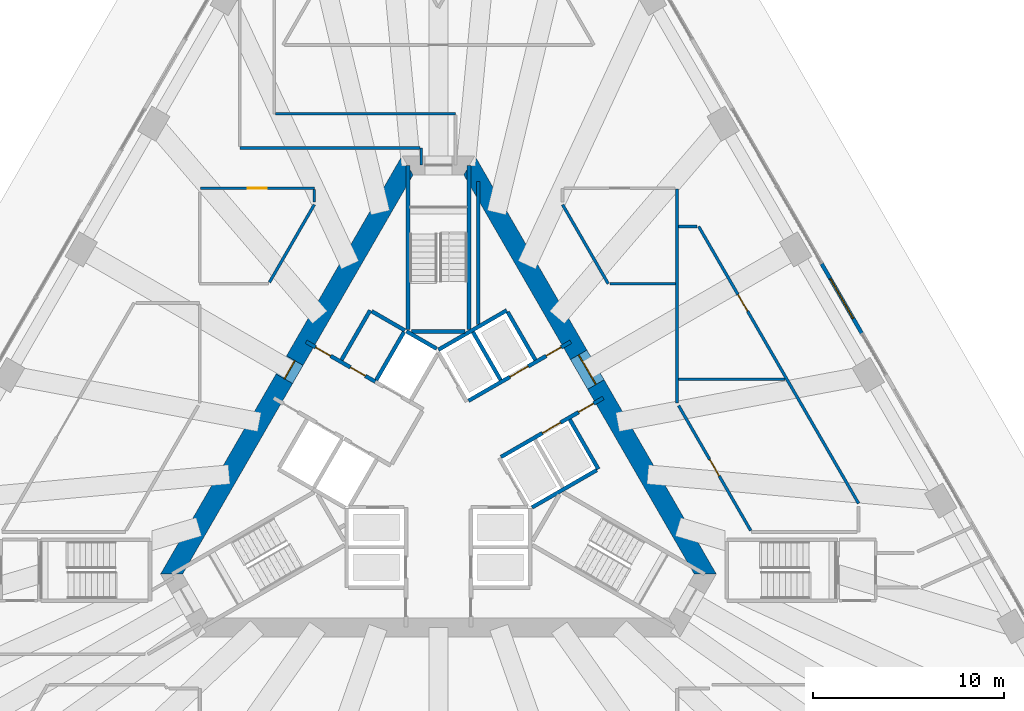
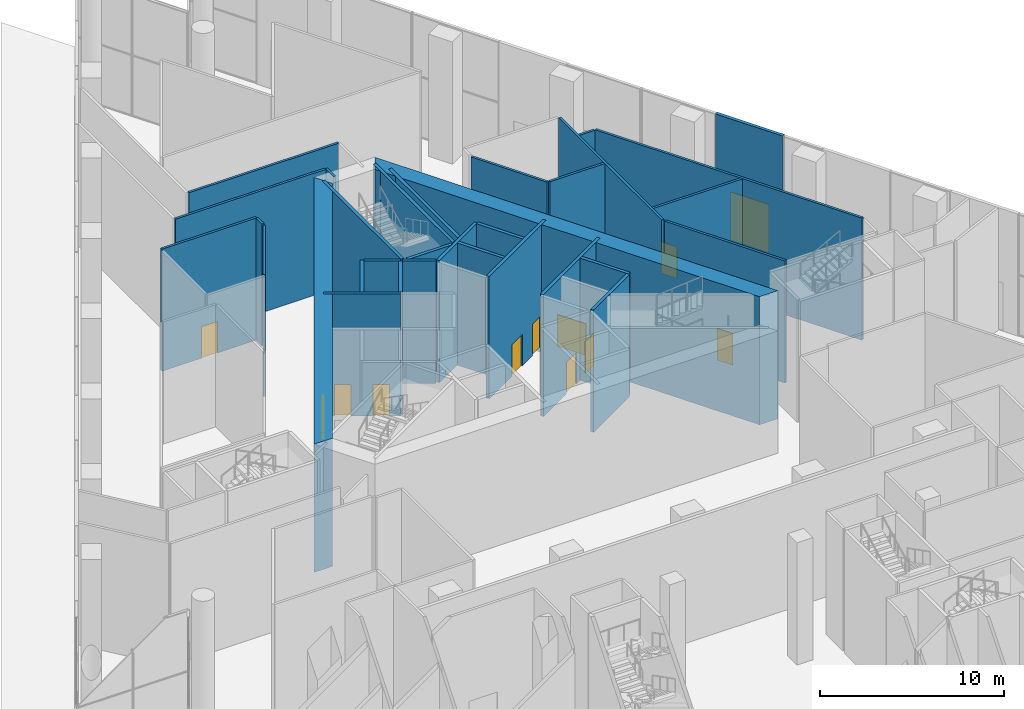
# One storey, part 26 of 41: 32 walls, 12 doors, 12 openings.
"""IFC4 building model written with IfcOpenShell, lengths in metres."""

from ifc_helpers import new_model, si_unit, direction, frame, frame_2d, origin, place, context, subcontext, project, spatial, polyline, rectangle, outline, extrude, material, layer, layer_set, layer_usage, type_object, element, fill, save


model = new_model("IFC4")

# Units and contexts
model_context = context("Model", 3, precision=1e-05, world=origin(), true_north=direction((0.0, 1.0)))
body_context = subcontext(model_context, "Body", "Model", "MODEL_VIEW")
ifc_project = project(units=[si_unit("LENGTHUNIT", "METRE"), si_unit("AREAUNIT", "SQUARE_METRE"), si_unit("VOLUMEUNIT", "CUBIC_METRE"), si_unit("PLANEANGLEUNIT", "RADIAN"), si_unit("MASSUNIT", "GRAM", prefix="KILO")], contexts=[model_context])

# Site, building, storey
site_placement = place(None, origin())
site = spatial("IfcSite", under=ifc_project, at=site_placement, CompositionType="ELEMENT")
building_placement = place(site_placement, origin())
building = spatial("IfcBuilding", under=site, at=building_placement, Name="Triada Interchange Tower", CompositionType="ELEMENT")
storey_placement = place(building_placement, origin())
storey = spatial("IfcBuildingStorey", under=building, at=storey_placement, Name="L00", CompositionType="ELEMENT", Elevation=0.0)

# Wall
ifc_material_1 = material(Name="Concrete C30/37", Category="concrete")
ifc_layer_1 = layer(ifc_material_1, 0.199951171875)
ifc_layer_set_1 = layer_set([ifc_layer_1], Name="CORE WALL 200 EI 120")
wall_type_1 = type_object("IfcWallType", Name="CORE WALL 200 EI 120", PredefinedType="SOLIDWALL", material=ifc_layer_set_1)
wall_1_placement = place(storey_placement, frame((-0.001953125, 5.541015625, 0.0), z_axis=(0.0, 0.0, 1.0), x_axis=(0.86600155993, 0.500041296494, 0.0)))
element("IfcWall", 1, at=wall_1_placement, inside=storey, type_object=wall_type_1, Name="Wall L00 155", PredefinedType="SOLIDWALL", context=body_context, shape_type="SweptSolid", body=[
    extrude(rectangle(XDim=4.131591796875, YDim=0.199951171875, at=frame_2d((2.06591796875, 0.0))), origin(), (0.0, 0.0, 1.0), 8.10009765625),
])

# Wall, openings, doors
wall_2_placement = place(storey_placement, frame((1.577880859375, 2.8740234375, 0.0), z_axis=(0.0, 0.0, 1.0), x_axis=(0.866055259465, 0.499948284879, 0.0)))
wall_2 = element("IfcWall", 2, at=wall_2_placement, inside=storey, type_object=wall_type_1, Name="Wall L00 158", PredefinedType="SOLIDWALL", context=body_context, shape_type="SweptSolid", body=[
    extrude(rectangle(XDim=6.176513671875, YDim=0.199951171875, at=frame_2d((3.08837890625, 0.0))), origin(), (0.0, 0.0, 1.0), 8.10009765625),
])
opening_1_placement = place(wall_2_placement, frame((2.49609375, 0.0, 0.0)))
opening_1 = element("IfcOpeningElement", 3, at=opening_1_placement, cuts=wall_2, Name="Opening LD-LR6", PredefinedType="OPENING", context=body_context, shape_type="SweptSolid", body=[
    extrude(rectangle(XDim=1.10009765625, YDim=2.10009765625, at=frame_2d((0.550048828125, 1.050048828125))), frame((0.0, 0.10986328125, 0.0), z_axis=(0.0, -1.0, 0.0), x_axis=(1.0, 0.0, 0.0)), (0.0, 0.0, 1.0), 0.219970703125),
])
opening_2_placement = place(wall_2_placement, frame((4.696044921875, 0.0, 0.0)))
opening_2 = element("IfcOpeningElement", 4, at=opening_2_placement, cuts=wall_2, Name="Opening D00-60", PredefinedType="OPENING", context=body_context, shape_type="SweptSolid", body=[
    extrude(rectangle(XDim=0.89990234375, YDim=2.10009765625, at=frame_2d((0.449951171875, 1.050048828125))), frame((0.0, 0.10986328125, 0.0), z_axis=(0.0, -1.0, 0.0), x_axis=(1.0, 0.0, 0.0)), (0.0, 0.0, 1.0), 0.219970703125),
])
ifc_material_2 = material(Name="Steel S235 door leaf", Category="steel")
door_type_1 = type_object("IfcDoorType", Name="LIFT LANDING DOOR 1100 EI 120", OperationType="SLIDING_TO_LEFT", PredefinedType="DOOR", material=ifc_material_2)
door_1_placement = place(opening_1_placement, origin())
door_1 = element("IfcDoor", 5, at=door_1_placement, inside=storey, type_object=door_type_1, Name="LR6 landing door L00", OperationType="SLIDING_TO_LEFT", OverallHeight=2.10009765625, OverallWidth=1.10009765625, PredefinedType="DOOR", context=body_context, shape_type="SweptSolid", body=[
    extrude(rectangle(XDim=1.10009765625, YDim=2.10009765625, at=frame_2d((0.550048828125, 1.050048828125))), frame((0.0, 0.02490234375, 0.0), z_axis=(0.0, -1.0, 0.0), x_axis=(1.0, 0.0, 0.0)), (0.0, 0.0, 1.0), 0.050048828125),
])
fill(opening_1, door_1)
door_type_2 = type_object("IfcDoorType", Name="SERVICE DOOR 900 EI2 45-C5S200", OperationType="NOTDEFINED", PredefinedType="DOOR", material=ifc_material_2)
door_2_placement = place(opening_2_placement, origin())
door_2 = element("IfcDoor", 6, at=door_2_placement, inside=storey, type_object=door_type_2, Name="Door D00-60 L00", OperationType="SINGLE_SWING_LEFT", OverallHeight=2.10009765625, OverallWidth=0.89990234375, PredefinedType="DOOR", context=body_context, shape_type="SweptSolid", body=[
    extrude(rectangle(XDim=0.89990234375, YDim=2.10009765625, at=frame_2d((0.449951171875, 1.050048828125))), frame((0.0, 0.02490234375, 0.0), z_axis=(0.0, -1.0, 0.0), x_axis=(1.0, 0.0, 0.0)), (0.0, 0.0, 1.0), 0.050048828125),
])
fill(opening_2, door_2)

# Walls
for number, where, z_axis, x_axis, name in (
    (7, (1.806884765625, 6.469970703125, 0.0), (0.0, 0.0, 1.0), (0.50012328804, -0.865954211699, 0.0), "Wall L00 161"),
    (8, (3.6259765625, 7.52001953125, 0.0), (0.0, 0.0, 1.0), (0.500060147554, -0.865990674793, 0.0), "Wall L00 163"),
):
    element("IfcWall", number, at=place(storey_placement, frame(where, z_axis=z_axis, x_axis=x_axis)), inside=storey, type_object=wall_type_1, Name=name, PredefinedType="SOLIDWALL", context=body_context, shape_type="SweptSolid", body=[
        extrude(rectangle(XDim=2.899658203125, YDim=0.199951171875, at=frame_2d((1.44970703125, 0.0))), origin(), (0.0, 0.0, 1.0), 8.10009765625),
    ])
wall_3_placement = place(storey_placement, frame((6.8759765625, 1.89111328125, 0.0), z_axis=(0.0, 0.0, 1.0), x_axis=(0.499990139034, -0.866031096941, 0.0)))
element("IfcWall", 9, at=wall_3_placement, inside=storey, type_object=wall_type_1, Name="Wall L00 164", PredefinedType="SOLIDWALL", context=body_context, shape_type="SweptSolid", body=[
    extrude(rectangle(XDim=3.0, YDim=0.199951171875, at=frame_2d((1.5, 0.0))), origin(), (0.0, 0.0, 1.0), 8.10009765625),
])

# Wall, openings, doors
wall_4_placement = place(storey_placement, frame((3.278076171875, -0.071044921875, 0.0), z_axis=(0.0, 0.0, 1.0), x_axis=(0.865959795517, 0.500113619639, 0.0)))
wall_4 = element("IfcWall", 10, at=wall_4_placement, inside=storey, type_object=wall_type_1, Name="Wall L00 165", PredefinedType="SOLIDWALL", context=body_context, shape_type="SweptSolid", body=[
    extrude(rectangle(XDim=6.1767578125, YDim=0.199951171875, at=frame_2d((3.08837890625, 0.0))), origin(), (0.0, 0.0, 1.0), 8.10009765625),
])
opening_3_placement = place(wall_4_placement, frame((2.4970703125, 0.0, 0.0)))
opening_3 = element("IfcOpeningElement", 11, at=opening_3_placement, cuts=wall_4, Name="Opening LD-SH2", PredefinedType="OPENING", context=body_context, shape_type="SweptSolid", body=[
    extrude(rectangle(XDim=1.10009765625, YDim=2.10009765625, at=frame_2d((0.550048828125, 1.050048828125))), frame((0.0, 0.10986328125, 0.0), z_axis=(0.0, -1.0, 0.0), x_axis=(1.0, 0.0, 0.0)), (0.0, 0.0, 1.0), 0.219970703125),
])
opening_4_placement = place(wall_4_placement, frame((4.697021484375, 0.0, 0.0)))
opening_4 = element("IfcOpeningElement", 12, at=opening_4_placement, cuts=wall_4, Name="Opening D00-62", PredefinedType="OPENING", context=body_context, shape_type="SweptSolid", body=[
    extrude(rectangle(XDim=0.89990234375, YDim=2.10009765625, at=frame_2d((0.449951171875, 1.050048828125))), frame((0.0, 0.10986328125, 0.0), z_axis=(0.0, -1.0, 0.0), x_axis=(1.0, 0.0, 0.0)), (0.0, 0.0, 1.0), 0.219970703125),
])
door_3_placement = place(opening_3_placement, origin())
door_3 = element("IfcDoor", 13, at=door_3_placement, inside=storey, type_object=door_type_1, Name="SH2 landing door L00", OperationType="SLIDING_TO_LEFT", OverallHeight=2.10009765625, OverallWidth=1.10009765625, PredefinedType="DOOR", context=body_context, shape_type="SweptSolid", body=[
    extrude(rectangle(XDim=1.10009765625, YDim=2.10009765625, at=frame_2d((0.550048828125, 1.050048828125))), frame((0.0, 0.02490234375, 0.0), z_axis=(0.0, -1.0, 0.0), x_axis=(1.0, 0.0, 0.0)), (0.0, 0.0, 1.0), 0.050048828125),
])
fill(opening_3, door_3)
door_type_3 = type_object("IfcDoorType", Name="RISER ACCESS DOOR 900 EI2 45-C5S200", OperationType="NOTDEFINED", PredefinedType="DOOR", material=ifc_material_2)
door_4_placement = place(opening_4_placement, origin())
door_4 = element("IfcDoor", 14, at=door_4_placement, inside=storey, type_object=door_type_3, Name="Door D00-62 L00", OperationType="SINGLE_SWING_RIGHT", OverallHeight=2.10009765625, OverallWidth=0.89990234375, PredefinedType="DOOR", context=body_context, shape_type="SweptSolid", body=[
    extrude(rectangle(XDim=0.89990234375, YDim=2.10009765625, at=frame_2d((0.449951171875, 1.050048828125))), frame((0.0, 0.02490234375, 0.0), z_axis=(0.0, -1.0, 0.0), x_axis=(1.0, 0.0, 0.0)), (0.0, 0.0, 1.0), 0.050048828125),
])
fill(opening_4, door_4)

# Wall
wall_5_placement = place(storey_placement, frame((4.89990234375, -2.714111328125, 0.0), z_axis=(0.0, 0.0, 1.0), x_axis=(0.865992350556, 0.500057245502, 0.0)))
element("IfcWall", 15, at=wall_5_placement, inside=storey, type_object=wall_type_1, Name="Wall L00 166", PredefinedType="SOLIDWALL", context=body_context, shape_type="SweptSolid", body=[
    extrude(rectangle(XDim=3.91357421875, YDim=0.199951171875, at=frame_2d((1.956787109375, 0.0))), origin(), (0.0, 0.0, 1.0), 8.10009765625),
])

# Wall, openings, doors
ifc_layer_2 = layer(ifc_material_1, 0.199951171875)
ifc_layer_set_2 = layer_set([ifc_layer_2], Name="CORE WALL 200 EI 180")
wall_type_2 = type_object("IfcWallType", Name="CORE WALL 200 EI 180", PredefinedType="SOLIDWALL", material=ifc_layer_set_2)
wall_6_placement = place(storey_placement, frame((-6.927001953125, 5.9619140625, 0.0), z_axis=(0.0, 0.0, 1.0), x_axis=(0.866065051207, -0.49993132236, 0.0)))
wall_6 = element("IfcWall", 16, at=wall_6_placement, inside=storey, type_object=wall_type_2, Name="Wall L00 169", PredefinedType="SOLIDWALL", context=body_context, shape_type="SweptSolid", body=[
    extrude(rectangle(XDim=4.18212890625, YDim=0.199951171875, at=frame_2d((2.091064453125, 0.0))), origin(), (0.0, 0.0, 1.0), 8.10009765625),
])
opening_5_placement = place(wall_6_placement, frame((2.679931640625, 0.0, 0.0)))
opening_5 = element("IfcOpeningElement", 17, at=opening_5_placement, cuts=wall_6, Name="Opening D00-12", PredefinedType="OPENING", context=body_context, shape_type="SweptSolid", body=[
    extrude(rectangle(XDim=0.89990234375, YDim=2.10009765625, at=frame_2d((0.449951171875, 1.050048828125))), frame((0.0, 0.10986328125, 0.0), z_axis=(0.0, -1.0, 0.0), x_axis=(1.0, 0.0, 0.0)), (0.0, 0.0, 1.0), 0.219970703125),
])
opening_6_placement = place(wall_6_placement, frame((0.580078125, 0.0, 0.0)))
opening_6 = element("IfcOpeningElement", 18, at=opening_6_placement, cuts=wall_6, Name="Opening D00-59", PredefinedType="OPENING", context=body_context, shape_type="SweptSolid", body=[
    extrude(rectangle(XDim=0.89990234375, YDim=2.10009765625, at=frame_2d((0.449951171875, 1.050048828125))), frame((0.0, 0.10986328125, 0.0), z_axis=(0.0, -1.0, 0.0), x_axis=(1.0, 0.0, 0.0)), (0.0, 0.0, 1.0), 0.219970703125),
])
door_5_placement = place(opening_6_placement, origin())
door_5 = element("IfcDoor", 19, at=door_5_placement, inside=storey, type_object=door_type_2, Name="Door D00-59 L00", OperationType="SINGLE_SWING_RIGHT", OverallHeight=2.10009765625, OverallWidth=0.89990234375, PredefinedType="DOOR", context=body_context, shape_type="SweptSolid", body=[
    extrude(rectangle(XDim=0.89990234375, YDim=2.10009765625, at=frame_2d((0.449951171875, 1.050048828125))), frame((0.0, 0.02490234375, 0.0), z_axis=(0.0, -1.0, 0.0), x_axis=(1.0, 0.0, 0.0)), (0.0, 0.0, 1.0), 0.050048828125),
])
fill(opening_6, door_5)
door_type_4 = type_object("IfcDoorType", Name="SERVICE DOOR 900 EI2 90-C5S200", OperationType="NOTDEFINED", PredefinedType="DOOR", material=ifc_material_2)
door_6_placement = place(opening_5_placement, origin())
door_6 = element("IfcDoor", 20, at=door_6_placement, inside=storey, type_object=door_type_4, Name="Door D00-12 L00", OperationType="SINGLE_SWING_LEFT", OverallHeight=2.10009765625, OverallWidth=0.89990234375, PredefinedType="DOOR", context=body_context, shape_type="SweptSolid", body=[
    extrude(rectangle(XDim=0.89990234375, YDim=2.10009765625, at=frame_2d((0.449951171875, 1.050048828125))), frame((0.0, 0.02490234375, 0.0), z_axis=(0.0, -1.0, 0.0), x_axis=(1.0, 0.0, 0.0)), (0.0, 0.0, 1.0), 0.050048828125),
])
fill(opening_5, door_6)

# Walls
wall_7_placement = place(storey_placement, frame((-5.075927734375, 5.009033203125, 0.0), z_axis=(0.0, 0.0, 1.0), x_axis=(0.50002537861, 0.866010750942, 0.0)))
element("IfcWall", 21, at=wall_7_placement, inside=storey, type_object=wall_type_2, Name="Wall L00 171", PredefinedType="SOLIDWALL", context=body_context, shape_type="SweptSolid", body=[
    extrude(rectangle(XDim=2.999755859375, YDim=0.199951171875, at=frame_2d((1.5, 0.0))), origin(), (0.0, 0.0, 1.0), 8.10009765625),
])
wall_8_placement = place(storey_placement, frame((-3.489013671875, 7.556884765625, 0.0), z_axis=(0.0, 0.0, 1.0), x_axis=(0.866010750942, -0.50002537861, 0.0)))
element("IfcWall", 22, at=wall_8_placement, inside=storey, type_object=wall_type_2, Name="Wall L00 172", PredefinedType="SOLIDWALL", context=body_context, shape_type="SweptSolid", body=[
    extrude(rectangle(XDim=2.0, YDim=0.199951171875, at=frame_2d((1.0, 0.0))), origin(), (0.0, 0.0, 1.0), 8.10009765625),
])
wall_9_placement = place(storey_placement, frame((-3.257080078125, 3.958984375, 0.0), z_axis=(0.0, 0.0, 1.0), x_axis=(0.50012328804, 0.865954211699, 0.0)))
element("IfcWall", 23, at=wall_9_placement, inside=storey, type_object=wall_type_2, Name="Shaft wall FF2 L00 179", PredefinedType="SOLIDWALL", context=body_context, shape_type="SweptSolid", body=[
    extrude(rectangle(XDim=2.899658203125, YDim=0.199951171875, at=frame_2d((1.44970703125, 0.0))), origin(), (0.0, 0.0, 1.0), 8.10009765625),
])
wall_10_placement = place(storey_placement, frame((-1.669921875, 6.507080078125, 0.0), z_axis=(0.0, 0.0, 1.0), x_axis=(0.865941441609, -0.500145398563, 0.0)))
element("IfcWall", 24, at=wall_10_placement, inside=storey, type_object=wall_type_2, Name="Shaft wall FF2 L00 180", PredefinedType="SOLIDWALL", context=body_context, shape_type="SweptSolid", body=[
    extrude(rectangle(XDim=1.8154296875, YDim=0.199951171875, at=frame_2d((0.90771484375, 0.0))), origin(), (0.0, 0.0, 1.0), 8.10009765625),
])
ifc_layer_3 = layer(ifc_material_1, 0.199951171875)
ifc_layer_set_3 = layer_set([ifc_layer_3], Name="CORE WALL 200 EI 90")
wall_type_3 = type_object("IfcWallType", Name="CORE WALL 200 EI 90", PredefinedType="SOLIDWALL", material=ifc_layer_set_3)
wall_11_placement = place(storey_placement, frame((2.0830078125, 6.861083984375, 0.0), z_axis=(0.0, 0.0, 1.0), x_axis=(0.0, 1.0, 0.0)))
element("IfcWall", 25, at=wall_11_placement, inside=storey, type_object=wall_type_3, Name="Wall L00 183", PredefinedType="SOLIDWALL", context=body_context, shape_type="SweptSolid", body=[
    extrude(rectangle(XDim=7.490966796875, YDim=0.199951171875, at=frame_2d((3.74560546875, 0.0))), origin(), (0.0, 0.0, 1.0), 8.10009765625),
])
ifc_layer_4 = layer(ifc_material_1, 0.199951171875)
ifc_layer_set_4 = layer_set([ifc_layer_4], Name="CORE WALL 200 REI 240")
wall_type_4 = type_object("IfcWallType", Name="CORE WALL 200 REI 240", PredefinedType="SOLIDWALL", material=ifc_layer_set_4)
wall_12_placement = place(storey_placement, frame((1.60009765625, 6.614990234375, 0.0), z_axis=(0.0, 0.0, 1.0), x_axis=(0.0, 1.0, 0.0)))
element("IfcWall", 26, at=wall_12_placement, inside=storey, type_object=wall_type_4, Name="Wall L00 187", PredefinedType="SOLIDWALL", context=body_context, shape_type="SweptSolid", body=[
    extrude(rectangle(XDim=8.56494140625, YDim=0.199951171875, at=frame_2d((4.282470703125, 0.0))), origin(), (0.0, 0.0, 1.0), 8.10009765625),
])
wall_13_placement = place(storey_placement, frame((-1.39990234375, 6.5, 0.0), z_axis=(0.0, 0.0, 1.0), x_axis=(1.0, 0.0, 0.0)))
element("IfcWall", 27, at=wall_13_placement, inside=storey, type_object=wall_type_4, Name="Wall L00 188", PredefinedType="SOLIDWALL", context=body_context, shape_type="SweptSolid", body=[
    extrude(rectangle(XDim=2.7998046875, YDim=0.199951171875, at=frame_2d((1.39990234375, 0.0))), origin(), (0.0, 0.0, 1.0), 8.10009765625),
])
wall_14_placement = place(storey_placement, frame((-1.60009765625, 6.614990234375, 0.0), z_axis=(0.0, 0.0, 1.0), x_axis=(0.0, 1.0, 0.0)))
element("IfcWall", 28, at=wall_14_placement, inside=storey, type_object=wall_type_4, Name="Wall L00 189", PredefinedType="SOLIDWALL", context=body_context, shape_type="SweptSolid", body=[
    extrude(rectangle(XDim=8.56494140625, YDim=0.199951171875, at=frame_2d((4.282470703125, 0.0))), origin(), (0.0, 0.0, 1.0), 8.10009765625),
])

# Wall, opening, door
ifc_material_3 = material(Name="Concrete C70/85", Category="concrete")
ifc_layer_5 = layer(ifc_material_3, 1.0)
ifc_layer_set_5 = layer_set([ifc_layer_5], Name="Core wall P 1000")
wall_type_5 = type_object("IfcWallType", Name="Core wall P 1000", PredefinedType="SHEAR", material=ifc_layer_set_5)
wall_15_placement = place(storey_placement, frame((-1.616943359375, 15.199951171875, -0.39990234375), z_axis=(0.0, 0.0, 1.0), x_axis=(-0.499992141631, -0.866029940768, 0.0)))
wall_15 = element("IfcWall", 29, at=wall_15_placement, inside=storey, type_object=wall_type_5, Name="Core wall WP02 L00", PredefinedType="SHEAR", context=body_context, shape_type="SweptSolid", body=[
    extrude(outline(polyline([(-0.2890625, -0.4990234375), (1.65625, -0.4990234375), (3.601318359375, -0.499267578125), (5.546630859375, -0.499267578125), (7.491943359375, -0.499267578125), (9.43701171875, -0.49951171875), (11.38232421875, -0.49951171875), (13.32763671875, -0.49951171875), (15.27294921875, -0.49951171875), (17.218017578125, -0.499755859375), (19.163330078125, -0.499755859375), (21.108642578125, -0.499755859375), (23.0537109375, -0.5), (24.9990234375, -0.5), (24.422119140625, 0.5), (22.565673828125, 0.5), (20.709228515625, 0.5), (18.85302734375, 0.5), (16.99658203125, 0.5), (15.14013671875, 0.5), (13.28369140625, 0.5), (11.427490234375, 0.5), (9.571044921875, 0.5), (7.714599609375, 0.5), (5.858154296875, 0.5), (4.001953125, 0.5), (2.1455078125, 0.5), (0.2890625, 0.5), (-0.2890625, -0.4990234375)])), origin(), (0.0, 0.0, 1.0), 8.5),
])
opening_7_placement = place(wall_15_placement, frame((11.804931640625, 0.0, 0.39990234375)))
opening_7 = element("IfcOpeningElement", 30, at=opening_7_placement, cuts=wall_15, Name="Opening D00-56", PredefinedType="OPENING", context=body_context, shape_type="SweptSolid", body=[
    extrude(rectangle(XDim=1.10009765625, YDim=2.10009765625, at=frame_2d((0.550048828125, 1.050048828125))), frame((0.0, 0.510009765625, 0.0), z_axis=(0.0, -1.0, 0.0), x_axis=(1.0, 0.0, 0.0)), (0.0, 0.0, 1.0), 1.02001953125),
])
door_type_5 = type_object("IfcDoorType", Name="FIRE LOBBY DOOR 1100 EI2 90-C5S200", OperationType="NOTDEFINED", PredefinedType="DOOR", material=ifc_material_2)
door_7_placement = place(opening_7_placement, origin())
door_7 = element("IfcDoor", 31, at=door_7_placement, inside=storey, type_object=door_type_5, Name="Door D00-56 L00", OperationType="SINGLE_SWING_LEFT", OverallHeight=2.10009765625, OverallWidth=1.10009765625, PredefinedType="DOOR", context=body_context, shape_type="SweptSolid", body=[
    extrude(rectangle(XDim=1.10009765625, YDim=2.10009765625, at=frame_2d((0.550048828125, 1.050048828125))), frame((0.0, 0.02490234375, 0.0), z_axis=(0.0, -1.0, 0.0), x_axis=(1.0, 0.0, 0.0)), (0.0, 0.0, 1.0), 0.050048828125),
])
fill(opening_7, door_7)

wall_16_placement = place(storey_placement, frame((13.971923828125, -6.199951171875, -0.39990234375), z_axis=(0.0, 0.0, 1.0), x_axis=(-0.499992141631, 0.866029940768, 0.0)))
wall_16 = element("IfcWall", 32, at=wall_16_placement, inside=storey, type_object=wall_type_5, Name="Core wall WP06 L00", PredefinedType="SHEAR", context=body_context, shape_type="SweptSolid", body=[
    extrude(outline(polyline([(-0.2880859375, -0.5), (1.656982421875, -0.5), (3.602294921875, -0.499755859375), (5.54736328125, -0.499755859375), (7.49267578125, -0.499755859375), (9.437744140625, -0.49951171875), (11.3828125, -0.49951171875), (13.328125, -0.49951171875), (15.273193359375, -0.49951171875), (17.21826171875, -0.499267578125), (19.16357421875, -0.499267578125), (21.108642578125, -0.499267578125), (23.053955078125, -0.4990234375), (24.9990234375, -0.4990234375), (24.422119140625, 0.5), (22.565673828125, 0.5), (20.709228515625, 0.5), (18.852783203125, 0.5), (16.996337890625, 0.5), (15.139892578125, 0.5), (13.283447265625, 0.5), (11.4267578125, 0.5), (9.5703125, 0.5), (7.7138671875, 0.5), (5.857421875, 0.5), (4.0009765625, 0.5), (2.14453125, 0.5), (0.2880859375, 0.5), (-0.2880859375, -0.5)])), origin(), (0.0, 0.0, 1.0), 8.5),
])
opening_8_placement = place(wall_16_placement, frame((11.455078125, 0.0, 0.39990234375)))
opening_8 = element("IfcOpeningElement", 33, at=opening_8_placement, cuts=wall_16, Name="Opening D00-52", PredefinedType="OPENING", context=body_context, shape_type="SweptSolid", body=[
    extrude(rectangle(XDim=1.800048828125, YDim=2.10009765625, at=frame_2d((0.89990234375, 1.050048828125))), frame((0.0, 0.510009765625, 0.0), z_axis=(0.0, -1.0, 0.0), x_axis=(1.0, 0.0, 0.0)), (0.0, 0.0, 1.0), 1.02001953125),
])
door_type_6 = type_object("IfcDoorType", Name="LOBBY DOOR 1800 EI2 90-C5S200", OperationType="DOUBLE_DOOR_SINGLE_SWING", PredefinedType="DOOR", material=ifc_material_2)
door_8_placement = place(opening_8_placement, origin())
door_8 = element("IfcDoor", 34, at=door_8_placement, inside=storey, type_object=door_type_6, Name="Door D00-52 L00", OperationType="DOUBLE_DOOR_SINGLE_SWING", OverallHeight=2.10009765625, OverallWidth=1.800048828125, PredefinedType="DOOR", context=body_context, shape_type="SweptSolid", body=[
    extrude(rectangle(XDim=1.800048828125, YDim=2.10009765625, at=frame_2d((0.89990234375, 1.050048828125))), frame((0.0, 0.02490234375, 0.0), z_axis=(0.0, -1.0, 0.0), x_axis=(1.0, 0.0, 0.0)), (0.0, 0.0, 1.0), 0.050048828125),
])
fill(opening_8, door_8)

ifc_material_4 = material(Name="Cement board")
ifc_layer_6 = layer(ifc_material_4, 0.02001953125, Name="Cement board cladding")
ifc_material_5 = material(Name="Sheathing board")
ifc_layer_7 = layer(ifc_material_5, 0.014892578125, Name="Sheathing board")
ifc_material_6 = material(Name="Mineral wool")
ifc_layer_8 = layer(ifc_material_6, 0.14990234375, Name="Mineral wool between steel studs")
ifc_material_7 = material(Name="Gypsum board")
ifc_layer_9 = layer(ifc_material_7, 0.014892578125, Name="Plasterboard lining")
ifc_layer_set_6 = layer_set([ifc_layer_6, ifc_layer_7, ifc_layer_8, ifc_layer_9], Name="External wall 200")
ifc_layer_usage = layer_usage(ifc_layer_set_6, "AXIS2", "POSITIVE", -0.10009765625)
wall_type_6 = type_object("IfcWallType", Name="External wall 200", PredefinedType="ELEMENTEDWALL", material=ifc_layer_set_6)
wall_17_placement = place(storey_placement, frame((22.166015625, 6.407958984375, 0.0), z_axis=(0.0, 0.0, 1.0), x_axis=(-0.500052886544, 0.865994867571, 0.0)))
wall_17 = element("IfcWall", 35, at=wall_17_placement, inside=storey, type_object=wall_type_6, material=ifc_layer_usage, Name="External wall L00 05.7", PredefinedType="ELEMENTEDWALL", context=body_context, shape_type="SweptSolid", body=[
    extrude(rectangle(XDim=4.19970703125, YDim=0.199951171875, at=frame_2d((2.099853515625, 0.0))), origin(), (0.0, 0.0, 1.0), 8.10009765625),
])
opening_9_placement = place(wall_17_placement, frame((0.89990234375, 0.0, 0.0)))
opening_9 = element("IfcOpeningElement", 36, at=opening_9_placement, cuts=wall_17, Name="Opening DX24", PredefinedType="OPENING", context=body_context, shape_type="SweptSolid", body=[
    extrude(rectangle(XDim=2.39990234375, YDim=3.199951171875, at=frame_2d((1.199951171875, 1.60009765625))), frame((0.0, 0.10986328125, 0.0), z_axis=(0.0, -1.0, 0.0), x_axis=(1.0, 0.0, 0.0)), (0.0, 0.0, 1.0), 0.219970703125),
])
ifc_material_8 = material(Name="Aluminium and glass", Category="aluminium")
door_type_7 = type_object("IfcDoorType", Name="Entrance door double", OperationType="DOUBLE_DOOR_SINGLE_SWING", PredefinedType="DOOR", material=ifc_material_8)
door_9_placement = place(opening_9_placement, frame((2.39990234375, 0.0, 0.0), z_axis=(0.0, 0.0, 1.0), x_axis=(-1.0, 0.0, 0.0)))
door_9 = element("IfcDoor", 37, at=door_9_placement, inside=storey, type_object=door_type_7, Name="Door DX24 L00", OperationType="DOUBLE_DOOR_SINGLE_SWING", OverallHeight=3.199951171875, OverallWidth=2.39990234375, PredefinedType="DOOR", context=body_context, shape_type="SweptSolid", body=[
    extrude(rectangle(XDim=2.39990234375, YDim=3.199951171875, at=frame_2d((1.199951171875, 1.60009765625))), frame((0.0, 0.02490234375, 0.0), z_axis=(0.0, -1.0, 0.0), x_axis=(1.0, 0.0, 0.0)), (0.0, 0.0, 1.0), 0.050048828125),
])
fill(opening_9, door_9)

# Walls
ifc_material_9 = material(Name="Gypsum board partition")
ifc_layer_10 = layer(ifc_material_9, 0.14990234375)
ifc_layer_set_7 = layer_set([ifc_layer_10], Name="PARTITION 150 EI 180")
wall_type_7 = type_object("IfcWallType", Name="PARTITION 150 EI 180", PredefinedType="PARTITIONING", material=ifc_layer_set_7)
wall_18_placement = place(storey_placement, frame((-0.89990234375, 15.219970703125, 0.0), z_axis=(0.0, 0.0, 1.0), x_axis=(0.0, 1.0, 0.0)))
element("IfcWall", 38, at=wall_18_placement, inside=storey, type_object=wall_type_7, Name="Wall L00 16", PredefinedType="PARTITIONING", context=body_context, shape_type="SweptSolid", body=[
    extrude(rectangle(XDim=0.880126953125, YDim=0.14990234375, at=frame_2d((0.43994140625, 0.0))), origin(), (0.0, 0.0, 1.0), 8.10009765625),
])
for number, where, z_axis, x_axis, name in (
    (39, (-10.39990234375, 16.10009765625, 0.0), (0.0, 0.0, 1.0), (1.0, 0.0, 0.0), "Wall L00 17"),
    (40, (-8.52490234375, 17.89990234375, 0.0), (0.0, 0.0, 1.0), (1.0, 0.0, 0.0), "Wall L00 25"),
):
    element("IfcWall", number, at=place(storey_placement, frame(where, z_axis=z_axis, x_axis=x_axis)), inside=storey, type_object=wall_type_7, Name=name, PredefinedType="PARTITIONING", context=body_context, shape_type="SweptSolid", body=[
        extrude(rectangle(XDim=9.4248046875, YDim=0.14990234375, at=frame_2d((4.71240234375, 0.0))), origin(), (0.0, 0.0, 1.0), 8.10009765625),
    ])
ifc_layer_11 = layer(ifc_material_9, 0.14990234375)
ifc_layer_set_8 = layer_set([ifc_layer_11], Name="PARTITION 150 EI 90")
wall_type_8 = type_object("IfcWallType", Name="PARTITION 150 EI 90", PredefinedType="PARTITIONING", material=ifc_layer_set_8)
wall_19_placement = place(storey_placement, frame((12.574951171875, 4.0, 0.0), z_axis=(0.0, 0.0, 1.0), x_axis=(1.0, 0.0, 0.0)))
element("IfcWall", 41, at=wall_19_placement, inside=storey, type_object=wall_type_8, Name="Wall L00 98", PredefinedType="PARTITIONING", context=body_context, shape_type="SweptSolid", body=[
    extrude(rectangle(XDim=5.5830078125, YDim=0.14990234375, at=frame_2d((2.79150390625, 0.0))), origin(), (0.0, 0.0, 1.0), 8.10009765625),
])
wall_20_placement = place(storey_placement, frame((12.5, 2.7490234375, 0.0), z_axis=(0.0, 0.0, 1.0), x_axis=(0.0, 1.0, 0.0)))
element("IfcWall", 42, at=wall_20_placement, inside=storey, type_object=wall_type_8, Name="Wall L00 100", PredefinedType="PARTITIONING", context=body_context, shape_type="SweptSolid", body=[
    extrude(rectangle(XDim=11.199951171875, YDim=0.14990234375, at=frame_2d((5.60009765625, 0.0))), origin(), (0.0, 0.0, 1.0), 8.10009765625),
])

# Wall, opening, door
wall_21_placement = place(storey_placement, frame((13.625, 12.0, 0.0), z_axis=(0.0, 0.0, 1.0), x_axis=(0.500026956598, -0.866009839826, 0.0)))
wall_21 = element("IfcWall", 43, at=wall_21_placement, inside=storey, type_object=wall_type_8, Name="Wall L00 102", PredefinedType="PARTITIONING", context=body_context, shape_type="SweptSolid", body=[
    extrude(rectangle(XDim=16.7490234375, YDim=0.14990234375, at=frame_2d((8.37451171875, 0.0))), origin(), (0.0, 0.0, 1.0), 8.10009765625),
])
opening_10_placement = place(wall_21_placement, frame((4.118896484375, 0.0, 0.0)))
opening_10 = element("IfcOpeningElement", 44, at=opening_10_placement, cuts=wall_21, Name="Opening D00-48", PredefinedType="OPENING", context=body_context, shape_type="SweptSolid", body=[
    extrude(rectangle(XDim=1.0, YDim=2.10009765625, at=frame_2d((0.5, 1.050048828125))), frame((0.0, 0.0849609375, 0.0), z_axis=(0.0, -1.0, 0.0), x_axis=(1.0, 0.0, 0.0)), (0.0, 0.0, 1.0), 0.169921875),
])
door_type_8 = type_object("IfcDoorType", Name="ROOM DOOR 1000 EI2 90-C5S200", OperationType="NOTDEFINED", PredefinedType="DOOR", material=ifc_material_2)
door_10_placement = place(opening_10_placement, origin())
door_10 = element("IfcDoor", 45, at=door_10_placement, inside=storey, type_object=door_type_8, Name="Door D00-48 L00", OperationType="SINGLE_SWING_RIGHT", OverallHeight=2.10009765625, OverallWidth=1.0, PredefinedType="DOOR", context=body_context, shape_type="SweptSolid", body=[
    extrude(rectangle(XDim=1.0, YDim=2.10009765625, at=frame_2d((0.5, 1.050048828125))), frame((0.0, 0.02490234375, 0.0), z_axis=(0.0, -1.0, 0.0), x_axis=(1.0, 0.0, 0.0)), (0.0, 0.0, 1.0), 0.050048828125),
])
fill(opening_10, door_10)

# Wall
wall_22_placement = place(storey_placement, frame((6.5, 13.14208984375, 0.0), z_axis=(0.0, 0.0, 1.0), x_axis=(0.499949284443, -0.866054682445, 0.0)))
element("IfcWall", 46, at=wall_22_placement, inside=storey, type_object=wall_type_8, Name="Wall L00 106", PredefinedType="PARTITIONING", context=body_context, shape_type="SweptSolid", body=[
    extrude(rectangle(XDim=4.78271484375, YDim=0.14990234375, at=frame_2d((2.391357421875, 0.0))), origin(), (0.0, 0.0, 1.0), 8.10009765625),
])

# Wall, opening, door
wall_23_placement = place(storey_placement, frame((12.574951171875, 2.618896484375, 0.0), z_axis=(0.0, 0.0, 1.0), x_axis=(0.499992812315, -0.866029553557, 0.0)))
wall_23 = element("IfcWall", 47, at=wall_23_placement, inside=storey, type_object=wall_type_8, Name="Wall L00 107", PredefinedType="PARTITIONING", context=body_context, shape_type="SweptSolid", body=[
    extrude(rectangle(XDim=7.55615234375, YDim=0.14990234375, at=frame_2d((3.778076171875, 0.0))), origin(), (0.0, 0.0, 1.0), 8.10009765625),
])
opening_11_placement = place(wall_23_placement, frame((3.24609375, 0.0, 0.0)))
opening_11 = element("IfcOpeningElement", 48, at=opening_11_placement, cuts=wall_23, Name="Opening D00-47", PredefinedType="OPENING", context=body_context, shape_type="SweptSolid", body=[
    extrude(rectangle(XDim=1.0, YDim=2.10009765625, at=frame_2d((0.5, 1.050048828125))), frame((0.0, 0.0849609375, 0.0), z_axis=(0.0, -1.0, 0.0), x_axis=(1.0, 0.0, 0.0)), (0.0, 0.0, 1.0), 0.169921875),
])
door_11_placement = place(opening_11_placement, origin())
door_11 = element("IfcDoor", 49, at=door_11_placement, inside=storey, type_object=door_type_8, Name="Door D00-47 L00", OperationType="SINGLE_SWING_LEFT", OverallHeight=2.10009765625, OverallWidth=1.0, PredefinedType="DOOR", context=body_context, shape_type="SweptSolid", body=[
    extrude(rectangle(XDim=1.0, YDim=2.10009765625, at=frame_2d((0.5, 1.050048828125))), frame((0.0, 0.02490234375, 0.0), z_axis=(0.0, -1.0, 0.0), x_axis=(1.0, 0.0, 0.0)), (0.0, 0.0, 1.0), 0.050048828125),
])
fill(opening_11, door_11)

# Wall
wall_24_placement = place(storey_placement, frame((8.97802734375, 9.0, 0.0), z_axis=(0.0, 0.0, 1.0), x_axis=(1.0, 0.0, 0.0)))
element("IfcWall", 50, at=wall_24_placement, inside=storey, type_object=wall_type_8, Name="Wall L00 109", PredefinedType="PARTITIONING", context=body_context, shape_type="SweptSolid", body=[
    extrude(rectangle(XDim=3.447021484375, YDim=0.14990234375, at=frame_2d((1.7236328125, 0.0))), origin(), (0.0, 0.0, 1.0), 8.10009765625),
])

# Wall, opening, door
wall_25_placement = place(storey_placement, frame((-12.470947265625, 14.0, 0.0), z_axis=(0.0, 0.0, 1.0), x_axis=(1.0, 0.0, 0.0)))
wall_25 = element("IfcWall", 51, at=wall_25_placement, inside=storey, type_object=wall_type_8, Name="Wall L00 111", PredefinedType="PARTITIONING", context=body_context, shape_type="SweptSolid", body=[
    extrude(rectangle(XDim=5.970947265625, YDim=0.14990234375, at=frame_2d((2.9853515625, 0.0))), origin(), (0.0, 0.0, 1.0), 8.10009765625),
])
opening_12_placement = place(wall_25_placement, frame((2.486083984375, 0.0, 0.0)))
opening_12 = element("IfcOpeningElement", 52, at=opening_12_placement, cuts=wall_25, Name="Opening D00-50", PredefinedType="OPENING", context=body_context, shape_type="SweptSolid", body=[
    extrude(rectangle(XDim=1.0, YDim=2.10009765625, at=frame_2d((0.5, 1.050048828125))), frame((0.0, 0.0849609375, 0.0), z_axis=(0.0, -1.0, 0.0), x_axis=(1.0, 0.0, 0.0)), (0.0, 0.0, 1.0), 0.169921875),
])
door_type_9 = type_object("IfcDoorType", Name="ROOM DOOR 1000 EI2 45-C5S200", OperationType="NOTDEFINED", PredefinedType="DOOR", material=ifc_material_2)
door_12_placement = place(opening_12_placement, origin())
door_12 = element("IfcDoor", 53, at=door_12_placement, inside=storey, type_object=door_type_9, Name="Door D00-50 L00", OperationType="SINGLE_SWING_RIGHT", OverallHeight=2.10009765625, OverallWidth=1.0, PredefinedType="DOOR", context=body_context, shape_type="SweptSolid", body=[
    extrude(rectangle(XDim=1.0, YDim=2.10009765625, at=frame_2d((0.5, 1.050048828125))), frame((0.0, 0.02490234375, 0.0), z_axis=(0.0, -1.0, 0.0), x_axis=(1.0, 0.0, 0.0)), (0.0, 0.0, 1.0), 0.050048828125),
])
fill(opening_12, door_12)

# Walls
wall_26_placement = place(storey_placement, frame((12.574951171875, 12.0, 0.0), z_axis=(0.0, 0.0, 1.0), x_axis=(1.0, 0.0, 0.0)))
element("IfcWall", 54, at=wall_26_placement, inside=storey, type_object=wall_type_8, Name="Wall L00 113", PredefinedType="PARTITIONING", context=body_context, shape_type="SweptSolid", body=[
    extrude(rectangle(XDim=0.964111328125, YDim=0.14990234375, at=frame_2d((0.48193359375, 0.0))), origin(), (0.0, 0.0, 1.0), 8.10009765625),
])
wall_27_placement = place(storey_placement, frame((-8.847900390625, 9.074951171875, 0.0), z_axis=(0.0, 0.0, 1.0), x_axis=(0.499957962765, 0.866049672633, 0.0)))
element("IfcWall", 55, at=wall_27_placement, inside=storey, type_object=wall_type_8, Name="Wall L00 133", PredefinedType="PARTITIONING", context=body_context, shape_type="SweptSolid", body=[
    extrude(rectangle(XDim=4.6962890625, YDim=0.14990234375, at=frame_2d((2.34814453125, 0.0))), origin(), (0.0, 0.0, 1.0), 8.10009765625),
])
wall_28_placement = place(storey_placement, frame((-6.5, 13.2919921875, 0.0), z_axis=(0.0, 0.0, 1.0), x_axis=(0.0, 1.0, 0.0)))
element("IfcWall", 56, at=wall_28_placement, inside=storey, type_object=wall_type_8, Name="Wall L00 143", PredefinedType="PARTITIONING", context=body_context, shape_type="SweptSolid", body=[
    extrude(rectangle(XDim=0.633056640625, YDim=0.14990234375, at=frame_2d((0.31640625, 0.0))), origin(), (0.0, 0.0, 1.0), 8.10009765625),
])

save(model, "model.ifc")
